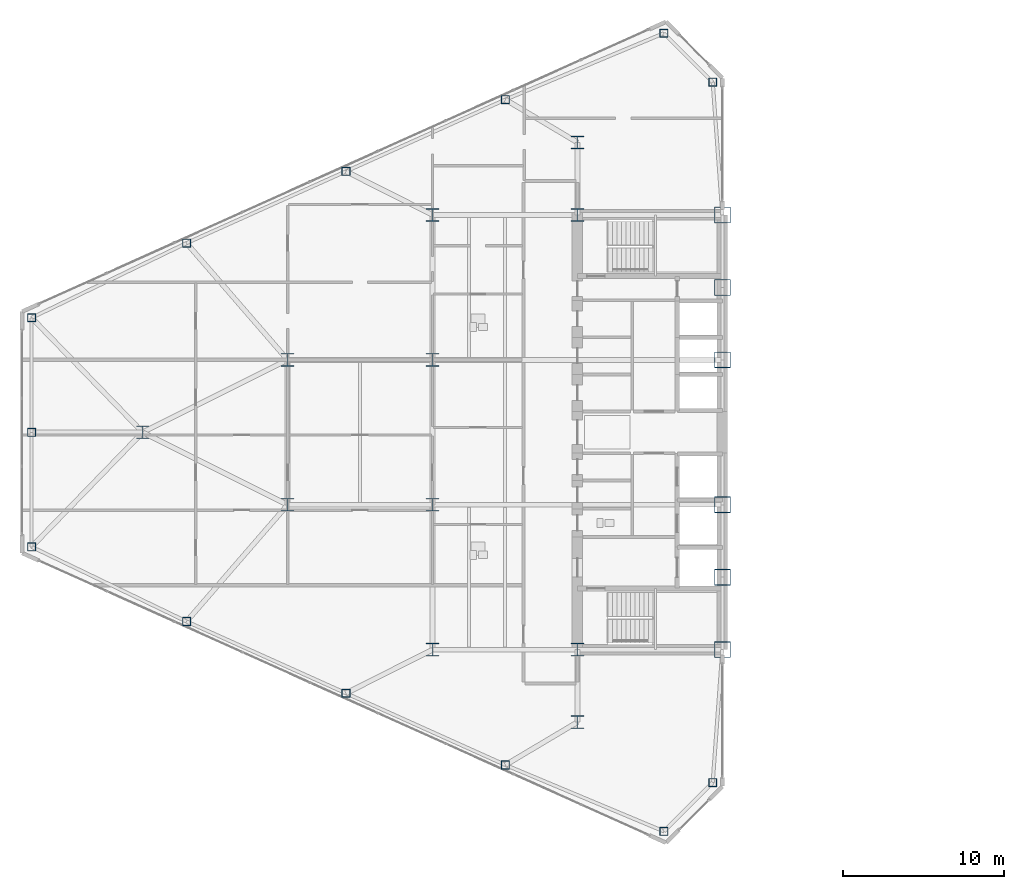
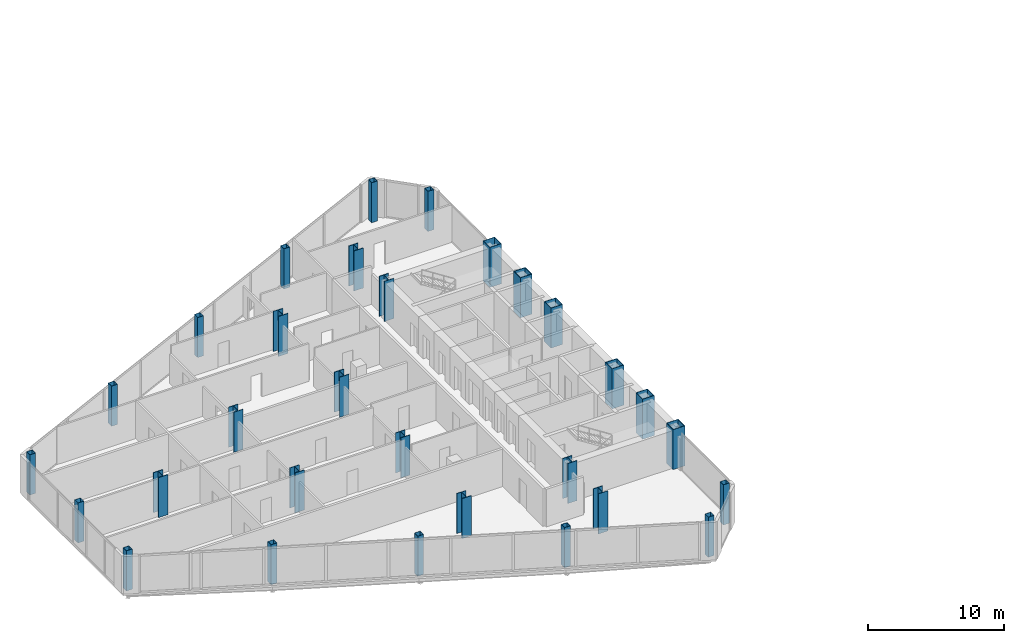
# One storey, part 1 of 27: 30 columns.
"""IFC4 building model written with IfcOpenShell, lengths in metres."""

from ifc_helpers import new_model, si_unit, direction, frame, origin, origin_2d, place, context, subcontext, project, spatial, hollow_rectangle, i_section, extrude, source, transform, mapped, material, material_profile, profile_set, type_object, type_shapes, element, save


model = new_model("IFC4")

# Units and contexts
model_context = context("Model", 3, precision=1e-05, world=origin(), true_north=direction((0.0, 1.0)))
body_context = subcontext(model_context, "Body", "Model", "MODEL_VIEW")
ifc_project = project(units=[si_unit("LENGTHUNIT", "METRE"), si_unit("AREAUNIT", "SQUARE_METRE"), si_unit("VOLUMEUNIT", "CUBIC_METRE"), si_unit("PLANEANGLEUNIT", "RADIAN"), si_unit("MASSUNIT", "GRAM", prefix="KILO")], contexts=[model_context])

# Site, building, storey
site_placement = place(None, origin())
site = spatial("IfcSite", under=ifc_project, at=site_placement, CompositionType="ELEMENT")
building_placement = place(site_placement, origin())
building = spatial("IfcBuilding", under=site, at=building_placement, Name="Seokmaru Belvedere", CompositionType="ELEMENT")
storey_placement = place(building_placement, frame((0.0, 0.0, 80.10009765625)))
storey = spatial("IfcBuildingStorey", under=building, at=storey_placement, Name="L21", CompositionType="ELEMENT", Elevation=80.10009765625)

# Columns
ifc_material_1 = material(Name="Steel SM355 (355 MPa)", Category="steel")
ifc_material_profile_1 = material_profile(ifc_material_1, hollow_rectangle(XDim=0.5, YDim=0.5, WallThickness=0.02001953125, at=origin_2d()), Name="HSS-500x500x20")
ifc_profile_set_1 = profile_set([ifc_material_profile_1], Name="Steel SM355 (355 MPa)")
column_type_1 = type_object("IfcColumnType", Name="Perimeter Facet Column HSS-500", PredefinedType="COLUMN", material=ifc_profile_set_1)
shared_shape_1 = source(origin(), body_context, "Body", "SweptSolid", [
    extrude(hollow_rectangle(XDim=0.5, YDim=0.5, WallThickness=0.02001953125, at=origin_2d()), origin(), (0.0, 0.0, 1.0), 3.599853515625),
])
type_shapes(column_type_1, [shared_shape_1])
for number, where, z_axis, x_axis, name in (
    (1, (-28.10009765625, -21.75146484375, 0.0), (0.0, 0.0, 1.0), (1.0, 0.0, 0.0), "L21 Column WF1"),
    (2, (-28.10009765625, 21.75146484375, 0.0), (0.0, 0.0, 1.0), (1.0, 0.0, 0.0), "L21 Column WF2"),
    (3, (-31.13134765625, 24.782958984375, 0.0), (0.0, 0.0, 1.0), (1.0, 0.0, 0.0), "L21 Column WF3"),
    (4, (-70.39990234375, 7.112060546875, 0.0), (0.0, 0.0, 1.0), (1.0, 0.0, 0.0), "L21 Column WF4"),
    (5, (-70.39990234375, -7.112060546875, 0.0), (0.0, 0.0, 1.0), (1.0, 0.0, 0.0), "L21 Column WF5"),
    (6, (-31.13134765625, -24.782958984375, 0.0), (0.0, 0.0, 1.0), (1.0, 0.0, 0.0), "L21 Column WF6"),
    (7, (-40.97265625, -20.661376953125, 0.0), (0.0, 0.0, 1.0), (1.0, 0.0, 0.0), "L21 Column WFLK_S1"),
    (8, (-50.875, -16.205322265625, 0.0), (0.0, 0.0, 1.0), (1.0, 0.0, 0.0), "L21 Column WFLK_S2"),
    (9, (-60.777587890625, -11.749267578125, 0.0), (0.0, 0.0, 1.0), (1.0, 0.0, 0.0), "L21 Column WFLK_S3"),
    (10, (-40.97265625, 20.661376953125, 0.0), (0.0, 0.0, 1.0), (1.0, 0.0, 0.0), "L21 Column WFLK_N1"),
    (11, (-50.875, 16.205322265625, 0.0), (0.0, 0.0, 1.0), (1.0, 0.0, 0.0), "L21 Column WFLK_N2"),
    (12, (-60.777587890625, 11.749267578125, 0.0), (0.0, 0.0, 1.0), (1.0, 0.0, 0.0), "L21 Column WFLK_N3"),
    (13, (-70.39990234375, 0.0, 0.0), (0.0, 0.0, 1.0), (1.0, 0.0, 0.0), "L21 Column WF_APXM"),
):
    element("IfcColumn", number, at=place(storey_placement, frame(where, z_axis=z_axis, x_axis=x_axis)), inside=storey, type_object=column_type_1, Name=name, PredefinedType="COLUMN", context=body_context, shape_type="MappedRepresentation", body=[
        mapped(shared_shape_1, transform((0.0, 0.0, 0.0), scale=1.0)),
    ])
ifc_material_2 = material(Name="Steel HSA650 (650 MPa)", Category="steel")
ifc_material_profile_2 = material_profile(ifc_material_2, hollow_rectangle(XDim=1.0, YDim=1.0, WallThickness=0.0419921875, at=origin_2d()), Name="BOX-1000x1000x42")
ifc_profile_set_2 = profile_set([ifc_material_profile_2], Name="Steel HSA650 (650 MPa)")
column_type_2 = type_object("IfcColumnType", Name="Portal Spine Column BOX-1000", PredefinedType="COLUMN", material=ifc_profile_set_2)
shared_shape_2 = source(origin(), body_context, "Body", "SweptSolid", [
    extrude(hollow_rectangle(XDim=1.0, YDim=1.0, WallThickness=0.0419921875, at=origin_2d()), origin(), (0.0, 0.0, 1.0), 3.599853515625),
])
type_shapes(column_type_2, [shared_shape_2])
for number, where, z_axis, x_axis, name in (
    (14, (-27.5, -13.5, 0.0), (0.0, 0.0, 1.0), (1.0, 0.0, 0.0), "L21 Column WS1"),
    (15, (-27.5, -9.0, 0.0), (0.0, 0.0, 1.0), (1.0, 0.0, 0.0), "L21 Column WS2"),
    (16, (-27.5, -4.5, 0.0), (0.0, 0.0, 1.0), (1.0, 0.0, 0.0), "L21 Column WS3"),
    (17, (-27.5, 4.5, 0.0), (0.0, 0.0, 1.0), (1.0, 0.0, 0.0), "L21 Column WS4"),
    (18, (-27.5, 9.0, 0.0), (0.0, 0.0, 1.0), (1.0, 0.0, 0.0), "L21 Column WS5"),
    (19, (-27.5, 13.5, 0.0), (0.0, 0.0, 1.0), (1.0, 0.0, 0.0), "L21 Column WS6"),
):
    element("IfcColumn", number, at=place(storey_placement, frame(where, z_axis=z_axis, x_axis=x_axis)), inside=storey, type_object=column_type_2, Name=name, PredefinedType="COLUMN", context=body_context, shape_type="MappedRepresentation", body=[
        mapped(shared_shape_2, transform((0.0, 0.0, 0.0), scale=1.0)),
    ])
ifc_material_profile_3 = material_profile(ifc_material_1, i_section(OverallWidth=0.800048828125, OverallDepth=0.800048828125, WebThickness=0.031982421875, FlangeThickness=0.050048828125, at=origin_2d()), Name="H-800x800x32x50")
ifc_profile_set_3 = profile_set([ifc_material_profile_3], Name="Steel SM355 (355 MPa)")
column_type_3 = type_object("IfcColumnType", Name="Lower-Mid Interior Column H-800", PredefinedType="COLUMN", material=ifc_profile_set_3)
shared_shape_3 = source(origin(), body_context, "Body", "SweptSolid", [
    extrude(i_section(OverallWidth=0.800048828125, OverallDepth=0.800048828125, WebThickness=0.031982421875, FlangeThickness=0.050048828125, at=origin_2d()), origin(), (0.0, 0.0, 1.0), 3.599853515625),
])
type_shapes(column_type_3, [shared_shape_3])
for number, where, z_axis, x_axis, name in (
    (20, (-36.5, -18.0, 0.0), (0.0, 0.0, 1.0), (1.0, 0.0, 0.0), "L21 Column WC1"),
    (21, (-36.5, -13.5, 0.0), (0.0, 0.0, 1.0), (1.0, 0.0, 0.0), "L21 Column WC2"),
    (22, (-36.5, 13.5, 0.0), (0.0, 0.0, 1.0), (1.0, 0.0, 0.0), "L21 Column WC3"),
    (23, (-36.5, 18.0, 0.0), (0.0, 0.0, 1.0), (1.0, 0.0, 0.0), "L21 Column WC4"),
    (24, (-45.5, -13.5, 0.0), (0.0, 0.0, 1.0), (1.0, 0.0, 0.0), "L21 Column WG5_1"),
    (25, (-45.5, -4.5, 0.0), (0.0, 0.0, 1.0), (1.0, 0.0, 0.0), "L21 Column WG5_2"),
    (26, (-45.5, 4.5, 0.0), (0.0, 0.0, 1.0), (1.0, 0.0, 0.0), "L21 Column WG5_3"),
    (27, (-45.5, 13.5, 0.0), (0.0, 0.0, 1.0), (1.0, 0.0, 0.0), "L21 Column WG5_4"),
    (28, (-54.5, -4.5, 0.0), (0.0, 0.0, 1.0), (1.0, 0.0, 0.0), "L21 Column WG4P_1"),
    (29, (-54.5, 4.5, 0.0), (0.0, 0.0, 1.0), (1.0, 0.0, 0.0), "L21 Column WG4P_2"),
    (30, (-63.5, 0.0, 0.0), (0.0, 0.0, 1.0), (1.0, 0.0, 0.0), "L21 Column WG3P_1"),
):
    element("IfcColumn", number, at=place(storey_placement, frame(where, z_axis=z_axis, x_axis=x_axis)), inside=storey, type_object=column_type_3, Name=name, PredefinedType="COLUMN", context=body_context, shape_type="MappedRepresentation", body=[
        mapped(shared_shape_3, transform((0.0, 0.0, 0.0), scale=1.0)),
    ])

save(model, "model.ifc")
